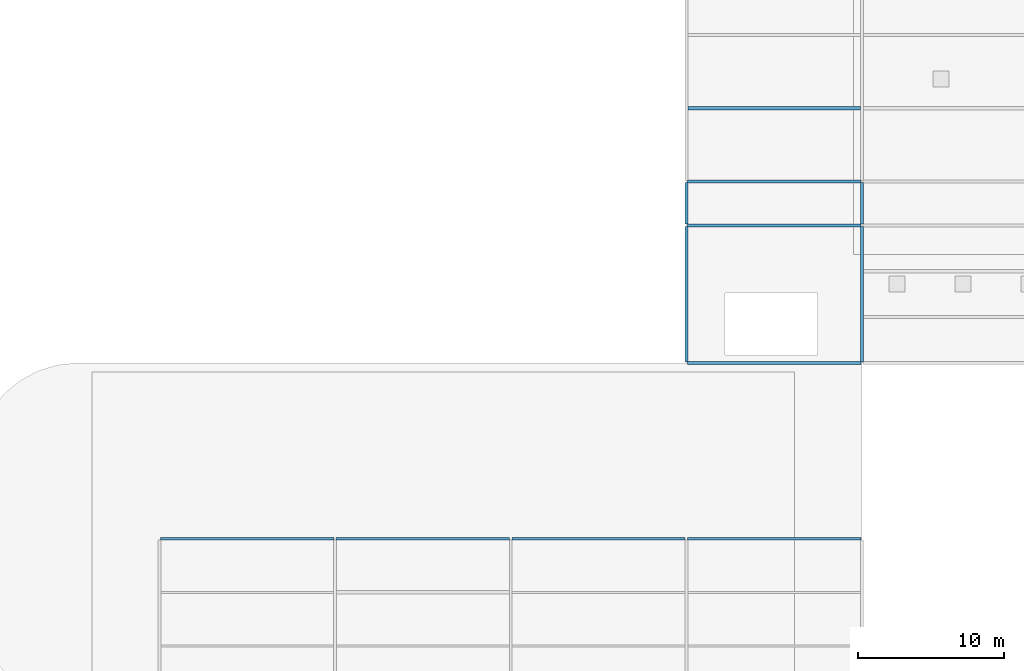
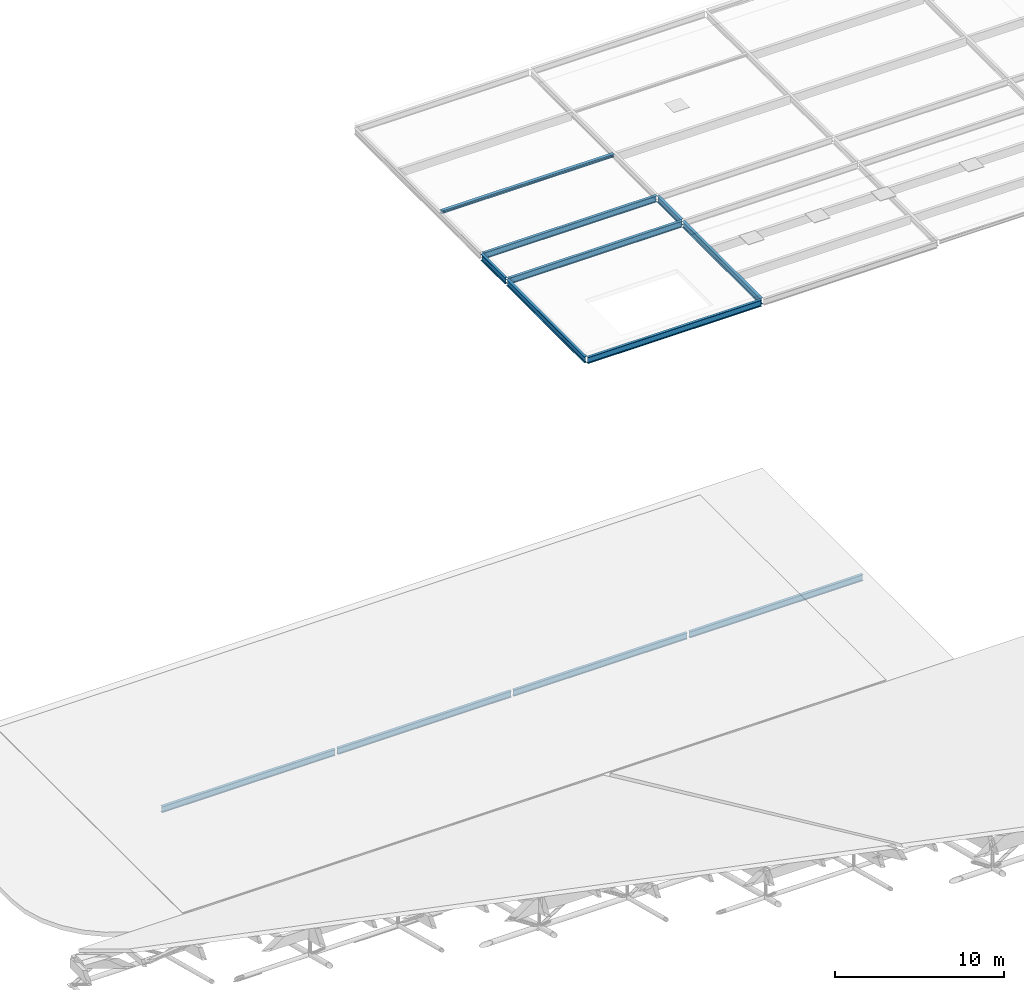
# One storey, part 59 of 80: 12 beams.
"""IFC4 building model written with IfcOpenShell, lengths in metres."""

from ifc_helpers import new_model, si_unit, direction, frame, origin, origin_2d, place, context, subcontext, project, spatial, i_section, extrude, material, material_profile, profile_set, type_object, element, save


model = new_model("IFC4")

# Units and contexts
model_context = context("Model", 3, precision=1e-05, world=origin(), true_north=direction((0.0, 1.0)))
body_context = subcontext(model_context, "Body", "Model", "MODEL_VIEW")
ifc_project = project(units=[si_unit("LENGTHUNIT", "METRE"), si_unit("AREAUNIT", "SQUARE_METRE"), si_unit("VOLUMEUNIT", "CUBIC_METRE"), si_unit("PLANEANGLEUNIT", "RADIAN"), si_unit("MASSUNIT", "GRAM", prefix="KILO"), si_unit("THERMODYNAMICTEMPERATUREUNIT", "KELVIN"), si_unit("POWERUNIT", "WATT")], contexts=[model_context])

# Site, building, storey
site_placement = place(None, origin())
site = spatial("IfcSite", under=ifc_project, at=site_placement, CompositionType="ELEMENT")
building_placement = place(site_placement, origin())
building = spatial("IfcBuilding", under=site, at=building_placement, Name="Solmara Park Aquatics Centre", CompositionType="ELEMENT")
storey_placement = place(building_placement, frame((0.0, 0.0, 22.800048828125)))
storey = spatial("IfcBuildingStorey", under=building, at=storey_placement, Name="RF", CompositionType="ELEMENT", Elevation=22.800048828125)

# Beams
ifc_material = material(Name="Structural Steel S355", Category="steel")
ifc_material_profile_1 = material_profile(ifc_material, i_section(OverallWidth=0.18994140625, OverallDepth=0.449951171875, WebThickness=0.009521484375, FlangeThickness=0.0146484375, FilletRadius=0.02099609375, at=origin_2d()), Name="IPE 450")
ifc_profile_set_1 = profile_set([ifc_material_profile_1], Name="Structural Steel S355")
beam_type_1 = type_object("IfcBeamType", Name="STR-BM-IPE450", PredefinedType="BEAM", material=ifc_profile_set_1)
for number, where, z_axis, x_axis, name in (
    (1, (12.679931640625, 96.60009765625, -13.06494140625), (1.0, 0.0, 0.0), (0.0, 1.0, 0.0), "Girder BM-RF-0553"),
    (2, (24.679931640625, 96.60009765625, -13.06494140625), (1.0, 0.0, 0.0), (0.0, 1.0, 0.0), "Girder BM-RF-0554"),
    (3, (36.679931640625, 96.60009765625, -13.06494140625), (1.0, 0.0, 0.0), (0.0, 1.0, 0.0), "Girder BM-RF-0555"),
    (4, (48.679931640625, 96.60009765625, -13.06494140625), (1.0, 0.0, 0.0), (0.0, 1.0, 0.0), "Girder BM-RF-0556"),
    (5, (48.679931640625, 108.60009765625, -0.545166015625), (1.0, 0.0, 0.0), (0.0, 1.0, 0.0), "Girder BM-RF-0562"),
    (6, (48.679931640625, 118.0, -0.545166015625), (1.0, 0.0, 0.0), (0.0, 1.0, 0.0), "Girder BM-RF-0566"),
    (7, (48.679931640625, 121.0, -0.545166015625), (1.0, 0.0, 0.0), (0.0, 1.0, 0.0), "Girder BM-RF-0570"),
):
    element("IfcBeam", number, at=place(storey_placement, frame(where, z_axis=z_axis, x_axis=x_axis)), inside=storey, type_object=beam_type_1, Name=name, PredefinedType="BEAM", context=body_context, shape_type="SweptSolid", body=[
        extrude(i_section(OverallWidth=0.18994140625, OverallDepth=0.449951171875, WebThickness=0.009521484375, FlangeThickness=0.0146484375, FilletRadius=0.02099609375, at=origin_2d()), origin(), (0.0, 0.0, 1.0), 11.840087890625),
    ])
beam_1_placement = place(storey_placement, frame((48.60009765625, 108.679931640625, -0.545166015625), z_axis=(0.0, 1.0, 0.0), x_axis=(-1.0, 0.0, 0.0)))
element("IfcBeam", 8, at=beam_1_placement, inside=storey, type_object=beam_type_1, Name="Girder BM-RF-0578", PredefinedType="BEAM", context=body_context, shape_type="SweptSolid", body=[
    extrude(i_section(OverallWidth=0.18994140625, OverallDepth=0.449951171875, WebThickness=0.009521484375, FlangeThickness=0.0146484375, FilletRadius=0.02099609375, at=origin_2d()), origin(), (0.0, 0.0, 1.0), 9.239990234375),
])
beam_2_placement = place(storey_placement, frame((48.60009765625, 118.080078125, -0.545166015625), z_axis=(0.0, 1.0, 0.0), x_axis=(-1.0, 0.0, 0.0)))
element("IfcBeam", 9, at=beam_2_placement, inside=storey, type_object=beam_type_1, Name="Girder BM-RF-0579", PredefinedType="BEAM", context=body_context, shape_type="SweptSolid", body=[
    extrude(i_section(OverallWidth=0.18994140625, OverallDepth=0.449951171875, WebThickness=0.009521484375, FlangeThickness=0.0146484375, FilletRadius=0.02099609375, at=origin_2d()), origin(), (0.0, 0.0, 1.0), 2.83984375),
])
beam_3_placement = place(storey_placement, frame((60.60009765625, 108.679931640625, -0.545166015625), z_axis=(0.0, 1.0, 0.0), x_axis=(-1.0, 0.0, 0.0)))
element("IfcBeam", 10, at=beam_3_placement, inside=storey, type_object=beam_type_1, Name="Girder BM-RF-0581", PredefinedType="BEAM", context=body_context, shape_type="SweptSolid", body=[
    extrude(i_section(OverallWidth=0.18994140625, OverallDepth=0.449951171875, WebThickness=0.009521484375, FlangeThickness=0.0146484375, FilletRadius=0.02099609375, at=origin_2d()), origin(), (0.0, 0.0, 1.0), 9.239990234375),
])
beam_4_placement = place(storey_placement, frame((60.60009765625, 118.080078125, -0.545166015625), z_axis=(0.0, 1.0, 0.0), x_axis=(-1.0, 0.0, 0.0)))
element("IfcBeam", 11, at=beam_4_placement, inside=storey, type_object=beam_type_1, Name="Girder BM-RF-0582", PredefinedType="BEAM", context=body_context, shape_type="SweptSolid", body=[
    extrude(i_section(OverallWidth=0.18994140625, OverallDepth=0.449951171875, WebThickness=0.009521484375, FlangeThickness=0.0146484375, FilletRadius=0.02099609375, at=origin_2d()), origin(), (0.0, 0.0, 1.0), 2.83984375),
])
ifc_material_profile_2 = material_profile(ifc_material, i_section(OverallWidth=0.219970703125, OverallDepth=0.2099609375, WebThickness=0.007080078125, FlangeThickness=0.010986328125, FilletRadius=0.01806640625, at=origin_2d()), Name="HEA 220")
ifc_profile_set_2 = profile_set([ifc_material_profile_2], Name="Structural Steel S355")
beam_type_2 = type_object("IfcBeamType", Name="STR-JST-HEA220", PredefinedType="JOIST", material=ifc_profile_set_2)
beam_5_placement = place(storey_placement, frame((48.695068359375, 126.0, -0.425048828125), z_axis=(1.0, 0.0, 0.0), x_axis=(0.0, 1.0, 0.0)))
element("IfcBeam", 12, at=beam_5_placement, inside=storey, type_object=beam_type_2, Name="Floor Joist JST-RF-0314", PredefinedType="JOIST", context=body_context, shape_type="SweptSolid", body=[
    extrude(i_section(OverallWidth=0.219970703125, OverallDepth=0.2099609375, WebThickness=0.007080078125, FlangeThickness=0.010986328125, FilletRadius=0.01806640625, at=origin_2d()), origin(), (0.0, 0.0, 1.0), 11.809814453125),
])

save(model, "model.ifc")
